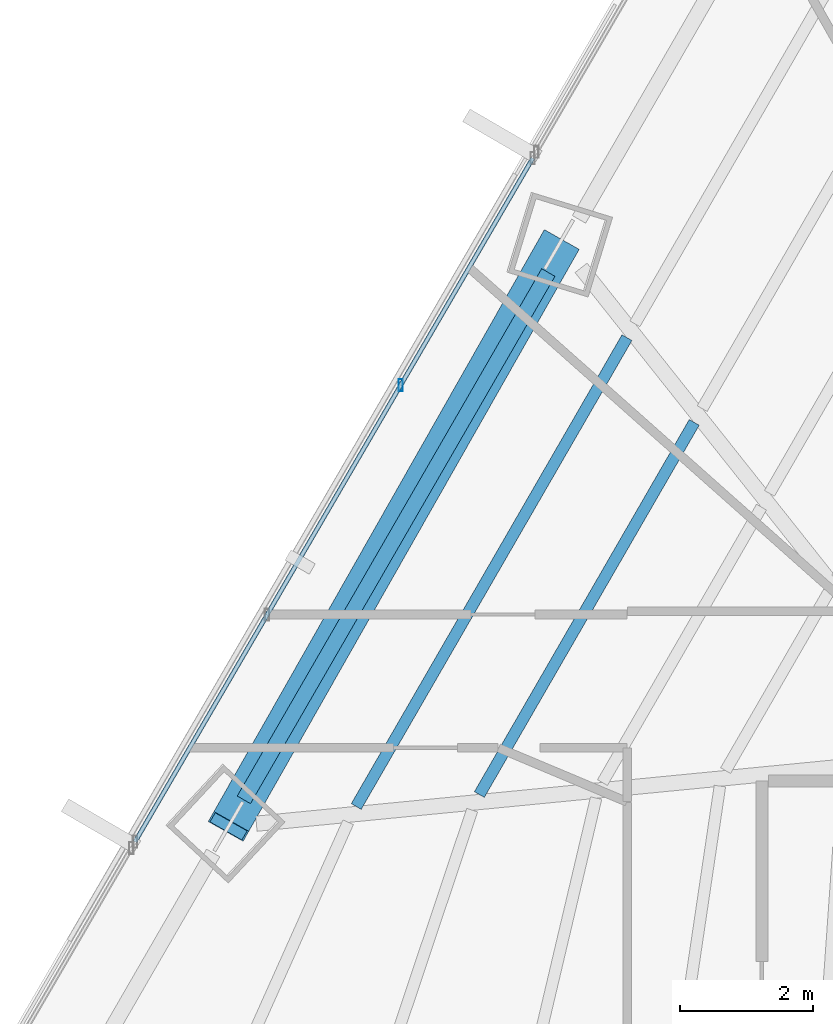
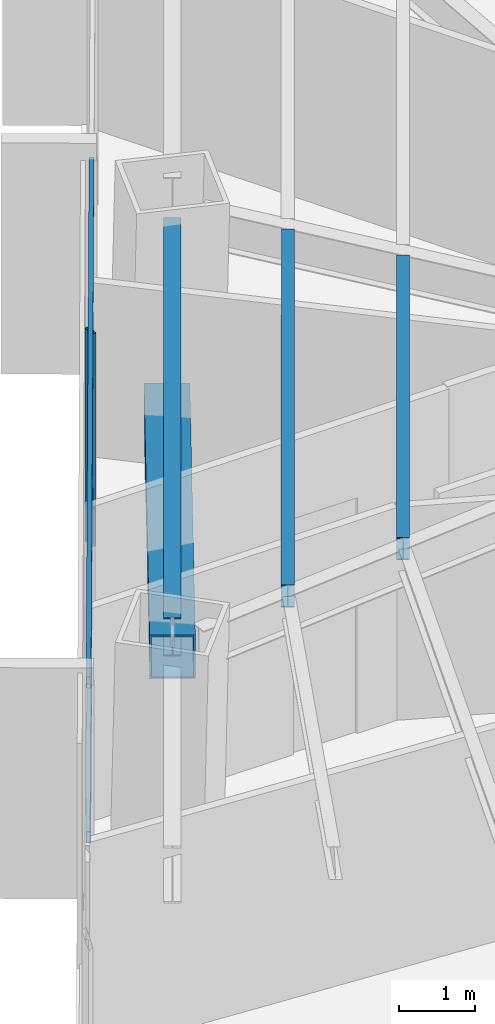
# One storey, part 13 of 34: 4 members, 3 beams, 1 element without a shape of its own.
"""IFC4 building model written with IfcOpenShell, lengths in metres."""

from ifc_helpers import new_model, si_unit, direction, frame, origin, origin_2d, place, context, subcontext, project, spatial, hollow_rectangle, i_section, extrude, source, transform, mapped, material, material_profile, profile_set, type_object, type_shapes, element, aggregate, save


model = new_model("IFC4")

# Units and contexts
model_context = context("Model", 3, precision=1e-05, world=origin(), true_north=direction((0.0, 1.0)))
body_context = subcontext(model_context, "Body", "Model", "MODEL_VIEW")
ifc_project = project(units=[si_unit("LENGTHUNIT", "METRE"), si_unit("AREAUNIT", "SQUARE_METRE"), si_unit("VOLUMEUNIT", "CUBIC_METRE"), si_unit("PLANEANGLEUNIT", "RADIAN"), si_unit("MASSUNIT", "GRAM", prefix="KILO")], contexts=[model_context])

# Site, building, storey
site_placement = place(None, origin())
site = spatial("IfcSite", under=ifc_project, at=site_placement, CompositionType="ELEMENT")
building_placement = place(site_placement, origin())
building = spatial("IfcBuilding", under=site, at=building_placement, Name="Caelisora Broadcast Tower", CompositionType="ELEMENT")
storey_placement = place(building_placement, frame((0.0, 0.0, 56.800048828125)))
storey = spatial("IfcBuildingStorey", under=building, at=storey_placement, Name="L14", CompositionType="ELEMENT", Elevation=56.800048828125)

# Beams
ifc_material_1 = material(Name="Steel Grade 350 (AS/NZS 3679.1)", Category="steel")
ifc_material_profile_1 = material_profile(ifc_material_1, i_section(OverallWidth=0.22900390625, OverallDepth=0.611572265625, WebThickness=0.011962890625, FlangeThickness=0.01953125, at=origin_2d()), Name="Steel Grade 350 (AS/NZS 3679.1)")
ifc_profile_set_1 = profile_set([ifc_material_profile_1], Name="Steel Grade 350 (AS/NZS 3679.1)")
beam_type_1 = type_object("IfcBeamType", Name="PG03", PredefinedType="BEAM", material=ifc_profile_set_1)
shared_shape_1 = source(origin(), body_context, "Body", "SweptSolid", [
    extrude(i_section(OverallWidth=0.22900390625, OverallDepth=0.611572265625, WebThickness=0.011962890625, FlangeThickness=0.01953125, at=origin_2d()), origin(), (0.0, 0.0, 1.0), 9.1298828125),
])
type_shapes(beam_type_1, [shared_shape_1])
beam_1_placement = place(storey_placement, frame((24.21826171875, 37.22802734375, 3.09423828125), z_axis=(-0.499998679983, -0.866026165896, 0.0), x_axis=(0.866026165896, -0.499998679983, 0.0)))
element("IfcBeam", 1, at=beam_1_placement, inside=storey, type_object=beam_type_1, Name="L14 beam PG03", PredefinedType="BEAM", context=body_context, shape_type="MappedRepresentation", body=[
    mapped(shared_shape_1, transform((0.0, 0.0, 0.0), scale=1.0)),
])
ifc_material_profile_2 = material_profile(ifc_material_1, i_section(OverallWidth=0.172119140625, OverallDepth=0.358642578125, WebThickness=0.008056640625, FlangeThickness=0.012939453125, at=origin_2d()), Name="Steel Grade 350 (AS/NZS 3679.1)")
ifc_profile_set_2 = profile_set([ifc_material_profile_2], Name="Steel Grade 350 (AS/NZS 3679.1)")
beam_type_2 = type_object("IfcBeamType", Name="SB02", PredefinedType="JOIST", material=ifc_profile_set_2)
shared_shape_2 = source(origin(), body_context, "Body", "SweptSolid", [
    extrude(i_section(OverallWidth=0.172119140625, OverallDepth=0.358642578125, WebThickness=0.008056640625, FlangeThickness=0.012939453125, at=origin_2d()), origin(), (0.0, 0.0, 1.0), 6.443359375),
])
beam_2_placement = place(storey_placement, frame((26.40576171875, 34.980712890625, 3.220703125), z_axis=(-0.500002337291, -0.866024054344, 0.0), x_axis=(0.866024054344, -0.500002337291, 0.0)))
element("IfcBeam", 2, at=beam_2_placement, inside=storey, type_object=beam_type_2, Name="L14 beam SB02", PredefinedType="JOIST", context=body_context, shape_type="MappedRepresentation", body=[
    mapped(shared_shape_2, transform((0.0, 0.0, 0.0), scale=1.0)),
])
shared_shape_3 = source(origin(), body_context, "Body", "SweptSolid", [
    extrude(i_section(OverallWidth=0.172119140625, OverallDepth=0.358642578125, WebThickness=0.008056640625, FlangeThickness=0.012939453125, at=origin_2d()), origin(), (0.0, 0.0, 1.0), 8.1181640625),
])
type_shapes(beam_type_2, [shared_shape_2, shared_shape_3])
beam_3_placement = place(storey_placement, frame((25.397216796875, 36.251708984375, 3.220703125), z_axis=(-0.500023553688, -0.866011804629, 0.0), x_axis=(0.866011804629, -0.500023553688, 0.0)))
element("IfcBeam", 3, at=beam_3_placement, inside=storey, type_object=beam_type_2, Name="L14 beam SB02", PredefinedType="JOIST", context=body_context, shape_type="MappedRepresentation", body=[
    mapped(shared_shape_3, transform((0.0, 0.0, 0.0), scale=1.0)),
])

# Member
ifc_material_2 = material(Name="Steel Grade 450 L15 (AS/NZS 3678)", Category="steel")
ifc_material_profile_3 = material_profile(ifc_material_2, hollow_rectangle(XDim=0.60009765625, YDim=0.60009765625, WallThickness=0.02490234375, at=origin_2d()), Name="Steel Grade 450 L15 (AS/NZS 3678)")
ifc_profile_set_3 = profile_set([ifc_material_profile_3], Name="Steel Grade 450 L15 (AS/NZS 3678)")
member_type_1 = type_object("IfcMemberType", Name="BR01", PredefinedType="BRACE", material=ifc_profile_set_3)
shared_shape_4 = source(origin(), body_context, "Body", "SweptSolid", [
    extrude(hollow_rectangle(XDim=0.60009765625, YDim=0.60009765625, WallThickness=0.02490234375, at=origin_2d()), origin(), (0.0, 0.0, 1.0), 10.47265625),
])
type_shapes(member_type_1, [shared_shape_4])
member_1_placement = place(storey_placement, frame((24.37744140625, 37.648193359375, 0.099853515625), z_axis=(-0.473055019239, -0.833161508604, 0.286462649143), x_axis=(0.869605446387, -0.493747270995, 0.0)))
element("IfcMember", 4, at=member_1_placement, inside=storey, type_object=member_type_1, Name="L14 perimeter brace BR01", PredefinedType="BRACE", context=body_context, shape_type="MappedRepresentation", body=[
    mapped(shared_shape_4, transform((0.0, 0.0, 0.0), scale=1.0)),
])

# Curtain wall, members
ifc_material_3 = material(Name="Unitised Aluminium Insulated Shadow-Box Spandrel Curtain Wall", Category="aluminium")
curtain_wall_type = type_object("IfcCurtainWallType", Name="CW-SP1", PredefinedType="NOTDEFINED", material=ifc_material_3)
curtain_wall_placement = place(storey_placement, origin())
curtain_wall = element("IfcCurtainWall", 5, at=curtain_wall_placement, inside=storey, type_object=curtain_wall_type, Name="L14 curtain wall CW-SP1", PredefinedType="NOTDEFINED")
ifc_material_4 = material(Name="Aluminium 6063-T6 Anodised Terracotta Bronze", Category="aluminium")
ifc_material_profile_4 = material_profile(ifc_material_4, hollow_rectangle(XDim=0.06494140625, YDim=0.179931640625, WallThickness=0.00341796875, at=origin_2d()), Name="Aluminium 6063-T6 Anodised Terracotta Bronze")
ifc_profile_set_4 = profile_set([ifc_material_profile_4], Name="Aluminium 6063-T6 Anodised Terracotta Bronze")
member_type_2 = type_object("IfcMemberType", Name="CWM-02", PredefinedType="MULLION", material=ifc_profile_set_4)
shared_shape_5 = source(origin(), body_context, "Body", "SweptSolid", [
    extrude(hollow_rectangle(XDim=0.06494140625, YDim=0.179931640625, WallThickness=0.00341796875, at=origin_2d()), origin(), (0.0, 0.0, 1.0), 3.39990234375),
])
type_shapes(member_type_2, [shared_shape_5])
member_2_placement = place(storey_placement, frame((22.00537109375, 35.53955078125, 0.0), z_axis=(0.0, 0.0, 1.0), x_axis=(1.0, 0.0, 0.0)))
member_2 = element("IfcMember", 6, at=member_2_placement, type_object=member_type_2, Name="L14-CW-B10 mullion #2", PredefinedType="MULLION", context=body_context, shape_type="MappedRepresentation", body=[
    mapped(shared_shape_5, transform((0.0, 0.0, 0.0), scale=1.0)),
])
ifc_material_profile_5 = material_profile(ifc_material_4, hollow_rectangle(XDim=0.06494140625, YDim=0.179931640625, WallThickness=0.00341796875, at=origin_2d()), Name="Aluminium 6063-T6 Anodised Terracotta Bronze")
ifc_profile_set_5 = profile_set([ifc_material_profile_5], Name="Aluminium 6063-T6 Anodised Terracotta Bronze")
member_type_3 = type_object("IfcMemberType", Name="CWT-01", PredefinedType="USERDEFINED", material=ifc_profile_set_5)
shared_shape_6 = source(origin(), body_context, "Body", "SweptSolid", [
    extrude(hollow_rectangle(XDim=0.06494140625, YDim=0.179931640625, WallThickness=0.00341796875, at=origin_2d()), origin(), (0.0, 0.0, 1.0), 11.857177734375),
])
type_shapes(member_type_3, [shared_shape_6])
member_3_placement = place(storey_placement, frame((18.02197265625, 28.692626953125, 0.849853515625), z_axis=(0.502875957736, 0.864358589436, 0.0), x_axis=(-0.864358589436, 0.502875957736, 0.0)))
member_3 = element("IfcMember", 7, at=member_3_placement, type_object=member_type_3, Name="L14-CW-B10 transom #1", ObjectType="TRANSOM", PredefinedType="USERDEFINED", context=body_context, shape_type="MappedRepresentation", body=[
    mapped(shared_shape_6, transform((0.0, 0.0, 0.0), scale=1.0)),
])
member_4_placement = place(storey_placement, frame((18.02197265625, 28.692626953125, 3.320068359375), z_axis=(0.502875957736, 0.864358589436, 0.0), x_axis=(-0.864358589436, 0.502875957736, 0.0)))
member_4 = element("IfcMember", 8, at=member_4_placement, type_object=member_type_3, Name="L14-CW-B10 transom #2", ObjectType="TRANSOM", PredefinedType="USERDEFINED", context=body_context, shape_type="MappedRepresentation", body=[
    mapped(shared_shape_6, transform((0.0, 0.0, 0.0), scale=1.0)),
])
aggregate(curtain_wall, [member_2, member_3, member_4])

save(model, "model.ifc")
